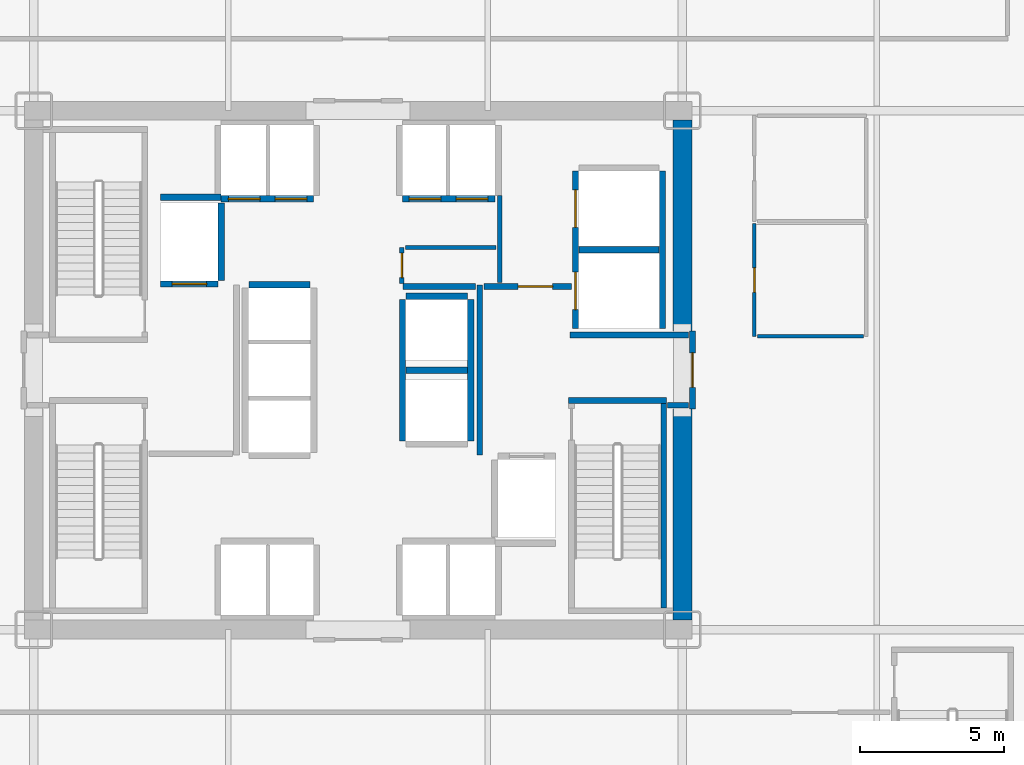
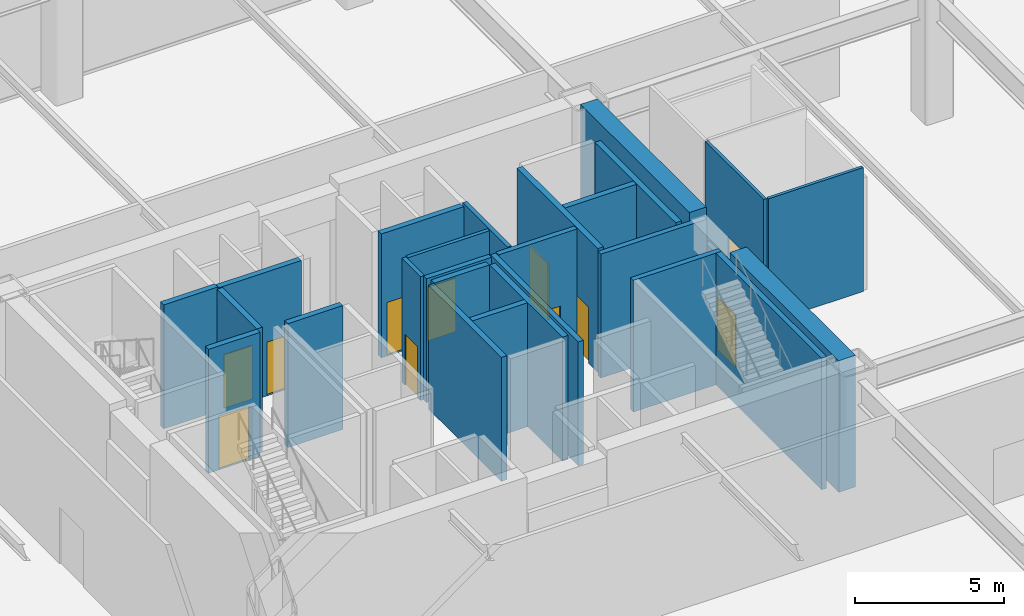
# One storey, part 18 of 24: 28 walls, 11 doors, 11 openings.
"""IFC4 building model written with IfcOpenShell, lengths in metres."""

from ifc_helpers import new_model, si_unit, direction, frame, frame_2d, origin, place, context, subcontext, project, spatial, rectangle, extrude, source, transform, mapped, material, layer, layer_set, type_object, element, fill, save


model = new_model("IFC4")

# Units and contexts
model_context = context("Model", 3, precision=1e-05, world=origin(), true_north=direction((0.0, 1.0)))
body_context = subcontext(model_context, "Body", "Model", "MODEL_VIEW")
ifc_project = project(units=[si_unit("LENGTHUNIT", "METRE"), si_unit("AREAUNIT", "SQUARE_METRE"), si_unit("VOLUMEUNIT", "CUBIC_METRE"), si_unit("PLANEANGLEUNIT", "RADIAN"), si_unit("MASSUNIT", "GRAM", prefix="KILO")], contexts=[model_context])

# Site, building, storey
site_placement = place(None, origin())
site = spatial("IfcSite", under=ifc_project, at=site_placement, CompositionType="ELEMENT")
building_placement = place(site_placement, origin())
building = spatial("IfcBuilding", under=site, at=building_placement, Name="Nefas-Gora Pilgrimage Tower", CompositionType="ELEMENT")
storey_placement = place(building_placement, frame((0.0, 0.0, 11.39990234375)))
storey = spatial("IfcBuildingStorey", under=building, at=storey_placement, Name="L02", CompositionType="ELEMENT", Elevation=11.39990234375)

# Walls
ifc_material_1 = material(Name="Concrete C60/75", Category="concrete")
ifc_layer_1 = layer(ifc_material_1, 0.64990234375)
ifc_layer_set_1 = layer_set([ifc_layer_1], Name="Concrete C60/75")
wall_type_1 = type_object("IfcWallType", Name="SW-CORE-650", PredefinedType="SHEAR", material=ifc_layer_set_1)
shared_shape_1 = source(origin(), body_context, "Body", "SweptSolid", [
    extrude(rectangle(XDim=7.324951171875, YDim=0.64990234375, at=frame_2d((3.66259765625, 0.0))), origin(), (0.0, 0.0, 1.0), 5.400146484375),
])
for number, where, z_axis, x_axis, name in (
    (1, (11.25, -8.675048828125, 0.0), (0.0, 0.0, 1.0), (0.0, 1.0, 0.0), "L02 Core Shear Wall E-South"),
    (2, (11.25, 1.35009765625, 0.0), (0.0, 0.0, 1.0), (0.0, 1.0, 0.0), "L02 Core Shear Wall E-North"),
):
    element("IfcWall", number, at=place(storey_placement, frame(where, z_axis=z_axis, x_axis=x_axis)), inside=storey, type_object=wall_type_1, Name=name, PredefinedType="SHEAR", context=body_context, shape_type="MappedRepresentation", body=[
        mapped(shared_shape_1, transform((0.0, 0.0, 0.0), x_axis=(1.0, 0.0, 0.0), y_axis=(0.0, 1.0, 0.0), z_axis=(0.0, 0.0, 1.0), scale=1.0)),
    ])
ifc_material_2 = material(Name="Concrete C45/55", Category="concrete")
ifc_layer_2 = layer(ifc_material_2, 0.199951171875)
ifc_layer_set_2 = layer_set([ifc_layer_2], Name="Concrete C45/55")
wall_type_2 = type_object("IfcWallType", Name="IW-STAIR-200", PredefinedType="SOLIDWALL", material=ifc_layer_set_2)
shared_shape_2 = source(origin(), body_context, "Body", "SweptSolid", [
    extrude(rectangle(XDim=3.39990234375, YDim=0.199951171875, at=frame_2d((1.699951171875, 0.0))), origin(), (0.0, 0.0, 1.0), 5.400146484375),
])
wall_1_placement = place(storey_placement, frame((7.300048828125, -1.050048828125, 0.0), z_axis=(0.0, 0.0, 1.0), x_axis=(1.0, 0.0, 0.0)))
element("IfcWall", 3, at=wall_1_placement, inside=storey, type_object=wall_type_2, Name="L02 Stairwell Shear Wall ST-02-near", PredefinedType="SOLIDWALL", context=body_context, shape_type="MappedRepresentation", body=[
    mapped(shared_shape_2, transform((0.0, 0.0, 0.0), x_axis=(1.0, 0.0, 0.0), y_axis=(0.0, 1.0, 0.0), z_axis=(0.0, 0.0, 1.0), scale=1.0)),
])
shared_shape_3 = source(origin(), body_context, "Body", "SweptSolid", [
    extrude(rectangle(XDim=7.10009765625, YDim=0.199951171875, at=frame_2d((3.550048828125, 0.0))), origin(), (0.0, 0.0, 1.0), 5.400146484375),
])
wall_2_placement = place(storey_placement, frame((10.60009765625, -1.14990234375, 0.0), z_axis=(0.0, 0.0, 1.0), x_axis=(0.0, -1.0, 0.0)))
element("IfcWall", 4, at=wall_2_placement, inside=storey, type_object=wall_type_2, Name="L02 Stairwell Shear Wall ST-02-right", PredefinedType="SOLIDWALL", context=body_context, shape_type="MappedRepresentation", body=[
    mapped(shared_shape_3, transform((0.0, 0.0, 0.0), x_axis=(1.0, 0.0, 0.0), y_axis=(0.0, 1.0, 0.0), z_axis=(0.0, 0.0, 1.0), scale=1.0)),
])

# Wall, opening, door
ifc_material_3 = material(Name="Concrete C40/50", Category="concrete")
ifc_layer_3 = layer(ifc_material_3, 0.219970703125)
ifc_layer_set_3 = layer_set([ifc_layer_3], Name="Concrete C40/50")
wall_type_3 = type_object("IfcWallType", Name="IW-SHAFT-220", PredefinedType="SOLIDWALL", material=ifc_layer_set_3)
shared_shape_4 = source(origin(), body_context, "Body", "SweptSolid", [
    extrude(rectangle(XDim=2.0, YDim=0.219970703125, at=frame_2d((1.0, 0.0))), origin(), (0.0, 0.0, 1.0), 5.085205078125),
])
wall_3_placement = place(storey_placement, frame((-6.85009765625, 2.989990234375, 0.0), z_axis=(0.0, 0.0, 1.0), x_axis=(1.0, 0.0, 0.0)))
wall_3 = element("IfcWall", 5, at=wall_3_placement, inside=storey, type_object=wall_type_3, Name="L02 Hoistway Wall FFL-01-S", PredefinedType="SOLIDWALL", context=body_context, shape_type="MappedRepresentation", body=[
    mapped(shared_shape_4, transform((0.0, 0.0, 0.0), x_axis=(1.0, 0.0, 0.0), y_axis=(0.0, 1.0, 0.0), z_axis=(0.0, 0.0, 1.0), scale=1.0)),
])
opening_1_placement = place(wall_3_placement, frame((0.39990234375, 0.0, 0.0)))
opening_1 = element("IfcOpeningElement", 6, at=opening_1_placement, cuts=wall_3, Name="Opening LD-FF", PredefinedType="OPENING", context=body_context, shape_type="SweptSolid", body=[
    extrude(rectangle(XDim=1.199951171875, YDim=2.199951171875, at=frame_2d((0.60009765625, 1.10009765625))), frame((0.0, 0.119873046875, 0.0), z_axis=(0.0, -1.0, 0.0), x_axis=(1.0, 0.0, 0.0)), (0.0, 0.0, 1.0), 0.239990234375),
])
ifc_material_4 = material(Name="Fire-service sliding lift landing door")
door_type_1 = type_object("IfcDoorType", Name="DR-LIFT-FSAE-1200", OperationType="SLIDING_TO_LEFT", PredefinedType="DOOR", material=ifc_material_4)
shared_shape_5 = source(origin(), body_context, "Body", "SweptSolid", [
    extrude(rectangle(XDim=1.199951171875, YDim=2.199951171875, at=frame_2d((0.60009765625, 1.10009765625))), frame((0.0, 0.02490234375, 0.0), z_axis=(0.0, -1.0, 0.0), x_axis=(1.0, 0.0, 0.0)), (0.0, 0.0, 1.0), 0.050048828125),
])
door_1_placement = place(opening_1_placement, origin())
door_1 = element("IfcDoor", 7, at=door_1_placement, inside=storey, type_object=door_type_1, Name="L02 Sliding Lift Landing Door FFL-01", OperationType="SLIDING_TO_LEFT", OverallHeight=2.199951171875, OverallWidth=1.199951171875, PredefinedType="DOOR", context=body_context, shape_type="MappedRepresentation", body=[
    mapped(shared_shape_5, transform((0.0, 0.0, 0.0), x_axis=(1.0, 0.0, 0.0), y_axis=(0.0, 1.0, 0.0), z_axis=(0.0, 0.0, 1.0), scale=1.0)),
])
fill(opening_1, door_1)

# Wall
shared_shape_6 = source(origin(), body_context, "Body", "SweptSolid", [
    extrude(rectangle(XDim=2.679931640625, YDim=0.219970703125, at=frame_2d((1.33984375, 0.0))), origin(), (0.0, 0.0, 1.0), 5.085205078125),
])
wall_4_placement = place(storey_placement, frame((-4.739990234375, 3.110107421875, 0.0), z_axis=(0.0, 0.0, 1.0), x_axis=(0.0, 1.0, 0.0)))
element("IfcWall", 8, at=wall_4_placement, inside=storey, type_object=wall_type_3, Name="L02 Hoistway Wall FFL-01-E", PredefinedType="SOLIDWALL", context=body_context, shape_type="MappedRepresentation", body=[
    mapped(shared_shape_6, transform((0.0, 0.0, 0.0), x_axis=(1.0, 0.0, 0.0), y_axis=(0.0, 1.0, 0.0), z_axis=(0.0, 0.0, 1.0), scale=1.0)),
])

# Wall, openings, doors
shared_shape_7 = source(origin(), body_context, "Body", "SweptSolid", [
    extrude(rectangle(XDim=5.449951171875, YDim=0.219970703125, at=frame_2d((2.72509765625, 0.0))), origin(), (0.0, 0.0, 1.0), 5.085205078125),
])
wall_5_placement = place(storey_placement, frame((7.5400390625, 6.89990234375, 0.0), z_axis=(0.0, 0.0, 1.0), x_axis=(0.0, -1.0, 0.0)))
wall_5 = element("IfcWall", 9, at=wall_5_placement, inside=storey, type_object=wall_type_3, Name="L02 Hoistway Wall SL-01-02-W", PredefinedType="SOLIDWALL", context=body_context, shape_type="MappedRepresentation", body=[
    mapped(shared_shape_7, transform((0.0, 0.0, 0.0), x_axis=(1.0, 0.0, 0.0), y_axis=(0.0, 1.0, 0.0), z_axis=(0.0, 0.0, 1.0), scale=1.0)),
])
opening_2_placement = place(wall_5_placement, frame((3.5, 0.0, 0.0)))
opening_2 = element("IfcOpeningElement", 10, at=opening_2_placement, cuts=wall_5, Name="Opening LD-SV", PredefinedType="OPENING", context=body_context, shape_type="SweptSolid", body=[
    extrude(rectangle(XDim=1.300048828125, YDim=2.300048828125, at=frame_2d((0.64990234375, 1.14990234375))), frame((0.0, 0.119873046875, 0.0), z_axis=(0.0, -1.0, 0.0), x_axis=(1.0, 0.0, 0.0)), (0.0, 0.0, 1.0), 0.239990234375),
])
opening_3_placement = place(wall_5_placement, frame((0.64990234375, 0.0, 0.0)))
opening_3 = element("IfcOpeningElement", 11, at=opening_3_placement, cuts=wall_5, Name="Opening LD-SV", PredefinedType="OPENING", context=body_context, shape_type="SweptSolid", body=[
    extrude(rectangle(XDim=1.300048828125, YDim=2.300048828125, at=frame_2d((0.64990234375, 1.14990234375))), frame((0.0, 0.119873046875, 0.0), z_axis=(0.0, -1.0, 0.0), x_axis=(1.0, 0.0, 0.0)), (0.0, 0.0, 1.0), 0.239990234375),
])
ifc_material_5 = material(Name="Heavy goods sliding lift landing door")
door_type_2 = type_object("IfcDoorType", Name="DR-LIFT-SERV-1300", OperationType="SLIDING_TO_RIGHT", PredefinedType="DOOR", material=ifc_material_5)
shared_shape_8 = source(origin(), body_context, "Body", "SweptSolid", [
    extrude(rectangle(XDim=1.300048828125, YDim=2.300048828125, at=frame_2d((0.64990234375, 1.14990234375))), frame((0.0, 0.02490234375, 0.0), z_axis=(0.0, -1.0, 0.0), x_axis=(1.0, 0.0, 0.0)), (0.0, 0.0, 1.0), 0.050048828125),
])
door_2_placement = place(opening_2_placement, origin())
door_2 = element("IfcDoor", 12, at=door_2_placement, inside=storey, type_object=door_type_2, Name="L02 Sliding Lift Landing Door SL-01", OperationType="SLIDING_TO_RIGHT", OverallHeight=2.300048828125, OverallWidth=1.300048828125, PredefinedType="DOOR", context=body_context, shape_type="MappedRepresentation", body=[
    mapped(shared_shape_8, transform((0.0, 0.0, 0.0), x_axis=(1.0, 0.0, 0.0), y_axis=(0.0, 1.0, 0.0), z_axis=(0.0, 0.0, 1.0), scale=1.0)),
])
fill(opening_2, door_2)
door_3_placement = place(opening_3_placement, origin())
door_3 = element("IfcDoor", 13, at=door_3_placement, inside=storey, type_object=door_type_2, Name="L02 Sliding Lift Landing Door SL-02", OperationType="SLIDING_TO_RIGHT", OverallHeight=2.300048828125, OverallWidth=1.300048828125, PredefinedType="DOOR", context=body_context, shape_type="MappedRepresentation", body=[
    mapped(shared_shape_8, transform((0.0, 0.0, 0.0), x_axis=(1.0, 0.0, 0.0), y_axis=(0.0, 1.0, 0.0), z_axis=(0.0, 0.0, 1.0), scale=1.0)),
])
fill(opening_3, door_3)

# Walls
wall_6_placement = place(storey_placement, frame((10.56005859375, 1.449951171875, 0.0), z_axis=(0.0, 0.0, 1.0), x_axis=(0.0, 1.0, 0.0)))
element("IfcWall", 14, at=wall_6_placement, inside=storey, type_object=wall_type_3, Name="L02 Hoistway Wall SL-01-02-E", PredefinedType="SOLIDWALL", context=body_context, shape_type="MappedRepresentation", body=[
    mapped(shared_shape_7, transform((0.0, 0.0, 0.0), x_axis=(1.0, 0.0, 0.0), y_axis=(0.0, 1.0, 0.0), z_axis=(0.0, 0.0, 1.0), scale=1.0)),
])
shared_shape_9 = source(origin(), body_context, "Body", "SweptSolid", [
    extrude(rectangle(XDim=2.780029296875, YDim=0.219970703125, at=frame_2d((1.39013671875, 0.0))), origin(), (0.0, 0.0, 1.0), 5.085205078125),
])
wall_7_placement = place(storey_placement, frame((7.659912109375, 4.175048828125, 0.0), z_axis=(0.0, 0.0, 1.0), x_axis=(1.0, 0.0, 0.0)))
element("IfcWall", 15, at=wall_7_placement, inside=storey, type_object=wall_type_3, Name="L02 Hoistway Wall SL-01-02-DIV", PredefinedType="SOLIDWALL", context=body_context, shape_type="MappedRepresentation", body=[
    mapped(shared_shape_9, transform((0.0, 0.0, 0.0), x_axis=(1.0, 0.0, 0.0), y_axis=(0.0, 1.0, 0.0), z_axis=(0.0, 0.0, 1.0), scale=1.0)),
])

# Wall, openings, doors
shared_shape_10 = source(origin(), body_context, "Body", "SweptSolid", [
    extrude(rectangle(XDim=3.199951171875, YDim=0.219970703125, at=frame_2d((1.60009765625, 0.0))), origin(), (0.0, 0.0, 1.0), 5.085205078125),
])
wall_8_placement = place(storey_placement, frame((-4.75, 5.93994140625, 0.0), z_axis=(0.0, 0.0, 1.0), x_axis=(1.0, 0.0, 0.0)))
wall_8 = element("IfcWall", 16, at=wall_8_placement, inside=storey, type_object=wall_type_3, Name="L02 Hoistway Wall PL1-W-S", PredefinedType="SOLIDWALL", context=body_context, shape_type="MappedRepresentation", body=[
    mapped(shared_shape_10, transform((0.0, 0.0, 0.0), x_axis=(1.0, 0.0, 0.0), y_axis=(0.0, 1.0, 0.0), z_axis=(0.0, 0.0, 1.0), scale=1.0)),
])
opening_4_placement = place(wall_8_placement, frame((0.25, 0.0, 0.0)))
opening_4 = element("IfcOpeningElement", 17, at=opening_4_placement, cuts=wall_8, Name="Opening LD-01", PredefinedType="OPENING", context=body_context, shape_type="SweptSolid", body=[
    extrude(rectangle(XDim=1.10009765625, YDim=2.199951171875, at=frame_2d((0.550048828125, 1.10009765625))), frame((0.0, 0.119873046875, 0.0), z_axis=(0.0, -1.0, 0.0), x_axis=(1.0, 0.0, 0.0)), (0.0, 0.0, 1.0), 0.239990234375),
])
opening_5_placement = place(wall_8_placement, frame((1.875, 0.0, 0.0)))
opening_5 = element("IfcOpeningElement", 18, at=opening_5_placement, cuts=wall_8, Name="Opening LD-01", PredefinedType="OPENING", context=body_context, shape_type="SweptSolid", body=[
    extrude(rectangle(XDim=1.10009765625, YDim=2.199951171875, at=frame_2d((0.550048828125, 1.10009765625))), frame((0.0, 0.119873046875, 0.0), z_axis=(0.0, -1.0, 0.0), x_axis=(1.0, 0.0, 0.0)), (0.0, 0.0, 1.0), 0.239990234375),
])
ifc_material_6 = material(Name="Brushed stainless sliding lift landing door")
door_type_3 = type_object("IfcDoorType", Name="DR-LIFT-PASS-1100", OperationType="DOUBLE_DOOR_SLIDING", PredefinedType="DOOR", material=ifc_material_6)
shared_shape_11 = source(origin(), body_context, "Body", "SweptSolid", [
    extrude(rectangle(XDim=1.10009765625, YDim=2.199951171875, at=frame_2d((0.550048828125, 1.10009765625))), frame((0.0, 0.02490234375, 0.0), z_axis=(0.0, -1.0, 0.0), x_axis=(1.0, 0.0, 0.0)), (0.0, 0.0, 1.0), 0.050048828125),
])
door_4_placement = place(opening_4_placement, origin())
door_4 = element("IfcDoor", 19, at=door_4_placement, inside=storey, type_object=door_type_3, Name="L02 Sliding Lift Landing Door PL1-01", OperationType="DOUBLE_DOOR_SLIDING", OverallHeight=2.199951171875, OverallWidth=1.10009765625, PredefinedType="DOOR", context=body_context, shape_type="MappedRepresentation", body=[
    mapped(shared_shape_11, transform((0.0, 0.0, 0.0), x_axis=(1.0, 0.0, 0.0), y_axis=(0.0, 1.0, 0.0), z_axis=(0.0, 0.0, 1.0), scale=1.0)),
])
fill(opening_4, door_4)
door_5_placement = place(opening_5_placement, origin())
door_5 = element("IfcDoor", 20, at=door_5_placement, inside=storey, type_object=door_type_3, Name="L02 Sliding Lift Landing Door PL1-02", OperationType="DOUBLE_DOOR_SLIDING", OverallHeight=2.199951171875, OverallWidth=1.10009765625, PredefinedType="DOOR", context=body_context, shape_type="MappedRepresentation", body=[
    mapped(shared_shape_11, transform((0.0, 0.0, 0.0), x_axis=(1.0, 0.0, 0.0), y_axis=(0.0, 1.0, 0.0), z_axis=(0.0, 0.0, 1.0), scale=1.0)),
])
fill(opening_5, door_5)

wall_9_placement = place(storey_placement, frame((1.550048828125, 5.93994140625, 0.0), z_axis=(0.0, 0.0, 1.0), x_axis=(1.0, 0.0, 0.0)))
wall_9 = element("IfcWall", 21, at=wall_9_placement, inside=storey, type_object=wall_type_3, Name="L02 Hoistway Wall PL1-E-S", PredefinedType="SOLIDWALL", context=body_context, shape_type="MappedRepresentation", body=[
    mapped(shared_shape_10, transform((0.0, 0.0, 0.0), x_axis=(1.0, 0.0, 0.0), y_axis=(0.0, 1.0, 0.0), z_axis=(0.0, 0.0, 1.0), scale=1.0)),
])
opening_6_placement = place(wall_9_placement, frame((0.22509765625, 0.0, 0.0)))
opening_6 = element("IfcOpeningElement", 22, at=opening_6_placement, cuts=wall_9, Name="Opening LD-01", PredefinedType="OPENING", context=body_context, shape_type="SweptSolid", body=[
    extrude(rectangle(XDim=1.10009765625, YDim=2.199951171875, at=frame_2d((0.550048828125, 1.10009765625))), frame((0.0, 0.119873046875, 0.0), z_axis=(0.0, -1.0, 0.0), x_axis=(1.0, 0.0, 0.0)), (0.0, 0.0, 1.0), 0.239990234375),
])
opening_7_placement = place(wall_9_placement, frame((1.85009765625, 0.0, 0.0)))
opening_7 = element("IfcOpeningElement", 23, at=opening_7_placement, cuts=wall_9, Name="Opening LD-01", PredefinedType="OPENING", context=body_context, shape_type="SweptSolid", body=[
    extrude(rectangle(XDim=1.10009765625, YDim=2.199951171875, at=frame_2d((0.550048828125, 1.10009765625))), frame((0.0, 0.119873046875, 0.0), z_axis=(0.0, -1.0, 0.0), x_axis=(1.0, 0.0, 0.0)), (0.0, 0.0, 1.0), 0.239990234375),
])
door_6_placement = place(opening_6_placement, origin())
door_6 = element("IfcDoor", 24, at=door_6_placement, inside=storey, type_object=door_type_3, Name="L02 Sliding Lift Landing Door PL1-03", OperationType="DOUBLE_DOOR_SLIDING", OverallHeight=2.199951171875, OverallWidth=1.10009765625, PredefinedType="DOOR", context=body_context, shape_type="MappedRepresentation", body=[
    mapped(shared_shape_11, transform((0.0, 0.0, 0.0), x_axis=(1.0, 0.0, 0.0), y_axis=(0.0, 1.0, 0.0), z_axis=(0.0, 0.0, 1.0), scale=1.0)),
])
fill(opening_6, door_6)
door_7_placement = place(opening_7_placement, origin())
door_7 = element("IfcDoor", 25, at=door_7_placement, inside=storey, type_object=door_type_3, Name="L02 Sliding Lift Landing Door PL1-04", OperationType="DOUBLE_DOOR_SLIDING", OverallHeight=2.199951171875, OverallWidth=1.10009765625, PredefinedType="DOOR", context=body_context, shape_type="MappedRepresentation", body=[
    mapped(shared_shape_11, transform((0.0, 0.0, 0.0), x_axis=(1.0, 0.0, 0.0), y_axis=(0.0, 1.0, 0.0), z_axis=(0.0, 0.0, 1.0), scale=1.0)),
])
fill(opening_7, door_7)

# Walls
shared_shape_12 = source(origin(), body_context, "Body", "SweptSolid", [
    extrude(rectangle(XDim=2.130126953125, YDim=0.219970703125, at=frame_2d((1.06494140625, 0.0))), origin(), (0.0, 0.0, 1.0), 5.085205078125),
])
for number, where, z_axis, x_axis, name in (
    (26, (-1.659912109375, 2.9599609375, 0.0), (0.0, 0.0, 1.0), (-1.0, 0.0, 0.0), "L02 Hoistway Wall PL3-03-N"),
    (27, (1.659912109375, 0.0, 0.0), (0.0, 0.0, 1.0), (1.0, 0.0, 0.0), "L02 Hoistway Wall OBS-01-02-DIV"),
    (28, (3.7900390625, 2.56005859375, 0.0), (0.0, 0.0, 1.0), (-1.0, 0.0, 0.0), "L02 Hoistway Wall OBS-02-N"),
):
    element("IfcWall", number, at=place(storey_placement, frame(where, z_axis=z_axis, x_axis=x_axis)), inside=storey, type_object=wall_type_3, Name=name, PredefinedType="SOLIDWALL", context=body_context, shape_type="MappedRepresentation", body=[
        mapped(shared_shape_12, transform((0.0, 0.0, 0.0), x_axis=(1.0, 0.0, 0.0), y_axis=(0.0, 1.0, 0.0), z_axis=(0.0, 0.0, 1.0), scale=1.0)),
    ])
shared_shape_13 = source(origin(), body_context, "Body", "SweptSolid", [
    extrude(rectangle(XDim=4.89990234375, YDim=0.219970703125, at=frame_2d((2.449951171875, 0.0))), origin(), (0.0, 0.0, 1.0), 5.085205078125),
])
for number, where, z_axis, x_axis, name in (
    (29, (1.5400390625, 2.449951171875, 0.0), (0.0, 0.0, 1.0), (0.0, -1.0, 0.0), "L02 Hoistway Wall OBS-01-02-W"),
    (30, (3.909912109375, -2.449951171875, 0.0), (0.0, 0.0, 1.0), (0.0, 1.0, 0.0), "L02 Hoistway Wall OBS-01-02-E"),
):
    element("IfcWall", number, at=place(storey_placement, frame(where, z_axis=z_axis, x_axis=x_axis)), inside=storey, type_object=wall_type_3, Name=name, PredefinedType="SOLIDWALL", context=body_context, shape_type="MappedRepresentation", body=[
        mapped(shared_shape_13, transform((0.0, 0.0, 0.0), x_axis=(1.0, 0.0, 0.0), y_axis=(0.0, 1.0, 0.0), z_axis=(0.0, 0.0, 1.0), scale=1.0)),
    ])

# Wall, opening, door
ifc_material_7 = material(Name="Gypsum fire-rated shaftwall")
ifc_layer_4 = layer(ifc_material_7, 0.199951171875)
ifc_layer_set_4 = layer_set([ifc_layer_4], Name="Gypsum fire-rated shaftwall")
wall_type_4 = type_object("IfcWallType", Name="IW-FFLOB-200", PredefinedType="PARTITIONING", material=ifc_layer_set_4)
shared_shape_14 = source(origin(), body_context, "Body", "SweptSolid", [
    extrude(rectangle(XDim=2.7001953125, YDim=0.199951171875, at=frame_2d((1.35009765625, 0.0))), origin(), (0.0, 0.0, 1.0), 3.97509765625),
])
wall_10_placement = place(storey_placement, frame((11.60009765625, -1.35009765625, 0.0), z_axis=(0.0, 0.0, 1.0), x_axis=(0.0, 1.0, 0.0)))
wall_10 = element("IfcWall", 31, at=wall_10_placement, inside=storey, type_object=wall_type_4, Name="L02 FF Lobby East Portal Wall 8", PredefinedType="PARTITIONING", context=body_context, shape_type="MappedRepresentation", body=[
    mapped(shared_shape_14, transform((0.0, 0.0, 0.0), x_axis=(1.0, 0.0, 0.0), y_axis=(0.0, 1.0, 0.0), z_axis=(0.0, 0.0, 1.0), scale=1.0)),
])
opening_8_placement = place(wall_10_placement, frame((0.75, 0.0, 0.0)))
opening_8 = element("IfcOpeningElement", 32, at=opening_8_placement, cuts=wall_10, Name="Opening ID-FF1", PredefinedType="OPENING", context=body_context, shape_type="SweptSolid", body=[
    extrude(rectangle(XDim=1.199951171875, YDim=2.14990234375, at=frame_2d((0.60009765625, 1.074951171875))), frame((0.0, 0.10986328125, 0.0), z_axis=(0.0, -1.0, 0.0), x_axis=(1.0, 0.0, 0.0)), (0.0, 0.0, 1.0), 0.219970703125),
])
ifc_material_8 = material(Name="Smoke-sealed steel firefighting lobby door", Category="steel")
door_type_4 = type_object("IfcDoorType", Name="DR-INT-FFLOB-1200", OperationType="NOTDEFINED", PredefinedType="DOOR", material=ifc_material_8)
shared_shape_15 = source(origin(), body_context, "Body", "SweptSolid", [
    extrude(rectangle(XDim=1.199951171875, YDim=2.14990234375, at=frame_2d((0.60009765625, 1.074951171875))), frame((0.0, 0.02490234375, 0.0), z_axis=(0.0, -1.0, 0.0), x_axis=(1.0, 0.0, 0.0)), (0.0, 0.0, 1.0), 0.050048828125),
])
door_8_placement = place(opening_8_placement, origin())
door_8 = element("IfcDoor", 33, at=door_8_placement, inside=storey, type_object=door_type_4, Name="L02 FF Lobby East Portal Door 2", OperationType="SINGLE_SWING_RIGHT", OverallHeight=2.14990234375, OverallWidth=1.199951171875, PredefinedType="DOOR", context=body_context, shape_type="MappedRepresentation", body=[
    mapped(shared_shape_15, transform((0.0, 0.0, 0.0), x_axis=(1.0, 0.0, 0.0), y_axis=(0.0, 1.0, 0.0), z_axis=(0.0, 0.0, 1.0), scale=1.0)),
])
fill(opening_8, door_8)

# Walls
shared_shape_16 = source(origin(), body_context, "Body", "SweptSolid", [
    extrude(rectangle(XDim=2.09521484375, YDim=0.219970703125, at=frame_2d((1.047607421875, 0.0))), origin(), (0.0, 0.0, 1.0), 5.085205078125),
])
wall_11_placement = place(storey_placement, frame((-6.85009765625, 6.0, 0.0), z_axis=(0.0, 0.0, 1.0), x_axis=(1.0, 0.0, 0.0)))
element("IfcWall", 34, at=wall_11_placement, inside=storey, type_object=wall_type_3, Name="L02 Riser Shaft Wall 1", PredefinedType="SOLIDWALL", context=body_context, shape_type="MappedRepresentation", body=[
    mapped(shared_shape_16, transform((0.0, 0.0, 0.0), x_axis=(1.0, 0.0, 0.0), y_axis=(0.0, 1.0, 0.0), z_axis=(0.0, 0.0, 1.0), scale=1.0)),
])
shared_shape_17 = source(origin(), body_context, "Body", "SweptSolid", [
    extrude(rectangle(XDim=5.89990234375, YDim=0.199951171875, at=frame_2d((2.949951171875, 0.0))), origin(), (0.0, 0.0, 1.0), 5.085205078125),
])
wall_12_placement = place(storey_placement, frame((4.219970703125, -2.949951171875, 0.0), z_axis=(0.0, 0.0, 1.0), x_axis=(0.0, 1.0, 0.0)))
element("IfcWall", 35, at=wall_12_placement, inside=storey, type_object=wall_type_4, Name="L02 FF Lobby East Inner Wall Wall 9", PredefinedType="PARTITIONING", context=body_context, shape_type="MappedRepresentation", body=[
    mapped(shared_shape_17, transform((0.0, 0.0, 0.0), x_axis=(1.0, 0.0, 0.0), y_axis=(0.0, 1.0, 0.0), z_axis=(0.0, 0.0, 1.0), scale=1.0)),
])
shared_shape_18 = source(origin(), body_context, "Body", "SweptSolid", [
    extrude(rectangle(XDim=0.719970703125, YDim=0.199951171875, at=frame_2d((0.35986328125, 0.0))), origin(), (0.0, 0.0, 1.0), 5.085205078125),
])
wall_13_placement = place(storey_placement, frame((10.739990234375, -1.219970703125, 0.0), z_axis=(0.0, 0.0, 1.0), x_axis=(1.0, 0.0, 0.0)))
element("IfcWall", 36, at=wall_13_placement, inside=storey, type_object=wall_type_4, Name="L02 FF Lobby East Throat S Wall 13", PredefinedType="PARTITIONING", context=body_context, shape_type="MappedRepresentation", body=[
    mapped(shared_shape_18, transform((0.0, 0.0, 0.0), x_axis=(1.0, 0.0, 0.0), y_axis=(0.0, 1.0, 0.0), z_axis=(0.0, 0.0, 1.0), scale=1.0)),
])
shared_shape_19 = source(origin(), body_context, "Body", "SweptSolid", [
    extrude(rectangle(XDim=2.52001953125, YDim=0.199951171875, at=frame_2d((1.260009765625, 0.0))), origin(), (0.0, 0.0, 1.0), 5.085205078125),
])
wall_14_placement = place(storey_placement, frame((1.56005859375, 2.89990234375, 0.0), z_axis=(0.0, 0.0, 1.0), x_axis=(1.0, 0.0, 0.0)))
element("IfcWall", 37, at=wall_14_placement, inside=storey, type_object=wall_type_4, Name="L02 FF Lobby East North Wall Wall 10", PredefinedType="PARTITIONING", context=body_context, shape_type="MappedRepresentation", body=[
    mapped(shared_shape_19, transform((0.0, 0.0, 0.0), x_axis=(1.0, 0.0, 0.0), y_axis=(0.0, 1.0, 0.0), z_axis=(0.0, 0.0, 1.0), scale=1.0)),
])

# Wall, opening, door
shared_shape_20 = source(origin(), body_context, "Body", "SweptSolid", [
    extrude(rectangle(XDim=3.039794921875, YDim=0.199951171875, at=frame_2d((1.52001953125, 0.0))), origin(), (0.0, 0.0, 1.0), 5.085205078125),
])
wall_15_placement = place(storey_placement, frame((4.360107421875, 2.89990234375, 0.0), z_axis=(0.0, 0.0, 1.0), x_axis=(1.0, 0.0, 0.0)))
wall_15 = element("IfcWall", 38, at=wall_15_placement, inside=storey, type_object=wall_type_4, Name="L02 FF Lobby East North Wall Wall 11", PredefinedType="PARTITIONING", context=body_context, shape_type="MappedRepresentation", body=[
    mapped(shared_shape_20, transform((0.0, 0.0, 0.0), x_axis=(1.0, 0.0, 0.0), y_axis=(0.0, 1.0, 0.0), z_axis=(0.0, 0.0, 1.0), scale=1.0)),
])
opening_9_placement = place(wall_15_placement, frame((1.18994140625, 0.0, 0.0)))
opening_9 = element("IfcOpeningElement", 39, at=opening_9_placement, cuts=wall_15, Name="Opening ID-PL1", PredefinedType="OPENING", context=body_context, shape_type="SweptSolid", body=[
    extrude(rectangle(XDim=1.199951171875, YDim=2.14990234375, at=frame_2d((0.60009765625, 1.074951171875))), frame((0.0, 0.10986328125, 0.0), z_axis=(0.0, -1.0, 0.0), x_axis=(1.0, 0.0, 0.0)), (0.0, 0.0, 1.0), 0.219970703125),
])
ifc_material_9 = material(Name="Heavy-duty steel plant room fire door", Category="steel")
door_type_5 = type_object("IfcDoorType", Name="DR-INT-PLANT-1200", OperationType="NOTDEFINED", PredefinedType="DOOR", material=ifc_material_9)
door_9_placement = place(opening_9_placement, origin())
door_9 = element("IfcDoor", 40, at=door_9_placement, inside=storey, type_object=door_type_5, Name="L02 Service Lift Lobby Door Door 3", OperationType="SINGLE_SWING_LEFT", OverallHeight=2.14990234375, OverallWidth=1.199951171875, PredefinedType="DOOR", context=body_context, shape_type="MappedRepresentation", body=[
    mapped(shared_shape_15, transform((0.0, 0.0, 0.0), x_axis=(1.0, 0.0, 0.0), y_axis=(0.0, 1.0, 0.0), z_axis=(0.0, 0.0, 1.0), scale=1.0)),
])
fill(opening_9, door_9)

# Walls
shared_shape_21 = source(origin(), body_context, "Body", "SweptSolid", [
    extrude(rectangle(XDim=4.10986328125, YDim=0.199951171875, at=frame_2d((2.054931640625, 0.0))), origin(), (0.0, 0.0, 1.0), 5.085205078125),
])
wall_16_placement = place(storey_placement, frame((7.35009765625, 1.219970703125, 0.0), z_axis=(0.0, 0.0, 1.0), x_axis=(1.0, 0.0, 0.0)))
element("IfcWall", 41, at=wall_16_placement, inside=storey, type_object=wall_type_4, Name="L02 FF Lobby East Throat N Wall 12", PredefinedType="PARTITIONING", context=body_context, shape_type="MappedRepresentation", body=[
    mapped(shared_shape_21, transform((0.0, 0.0, 0.0), x_axis=(1.0, 0.0, 0.0), y_axis=(0.0, 1.0, 0.0), z_axis=(0.0, 0.0, 1.0), scale=1.0)),
])
ifc_material_10 = material(Name="Gypsum acoustic stud partition")
ifc_layer_5 = layer(ifc_material_10, 0.159912109375)
ifc_layer_set_5 = layer_set([ifc_layer_5], Name="Gypsum acoustic stud partition")
wall_type_5 = type_object("IfcWallType", Name="IW-CORR-160", PredefinedType="PARTITIONING", material=ifc_layer_set_5)
shared_shape_22 = source(origin(), body_context, "Body", "SweptSolid", [
    extrude(rectangle(XDim=3.014892578125, YDim=0.159912109375, at=frame_2d((1.50732421875, 0.0))), origin(), (0.0, 0.0, 1.0), 5.085205078125),
])
wall_17_placement = place(storey_placement, frame((4.919921875, 3.0400390625, 0.0), z_axis=(0.0, 0.0, 1.0), x_axis=(0.0, 1.0, 0.0)))
element("IfcWall", 42, at=wall_17_placement, inside=storey, type_object=wall_type_5, Name="L02 Service Lift Lobby West Wall Wall 16", PredefinedType="PARTITIONING", context=body_context, shape_type="MappedRepresentation", body=[
    mapped(shared_shape_22, transform((0.0, 0.0, 0.0), x_axis=(1.0, 0.0, 0.0), y_axis=(0.0, 1.0, 0.0), z_axis=(0.0, 0.0, 1.0), scale=1.0)),
])

# Wall, opening, door
shared_shape_23 = source(origin(), body_context, "Body", "SweptSolid", [
    extrude(rectangle(XDim=1.25, YDim=0.159912109375, at=frame_2d((0.625, 0.0))), origin(), (0.0, 0.0, 1.0), 5.085205078125),
])
wall_18_placement = place(storey_placement, frame((1.52001953125, 3.010009765625, 0.0), z_axis=(0.0, 0.0, 1.0), x_axis=(0.0, 1.0, 0.0)))
wall_18 = element("IfcWall", 43, at=wall_18_placement, inside=storey, type_object=wall_type_5, Name="L02 Core Communications Room Wall 17", PredefinedType="PARTITIONING", context=body_context, shape_type="MappedRepresentation", body=[
    mapped(shared_shape_23, transform((0.0, 0.0, 0.0), x_axis=(1.0, 0.0, 0.0), y_axis=(0.0, 1.0, 0.0), z_axis=(0.0, 0.0, 1.0), scale=1.0)),
])
opening_10_placement = place(wall_18_placement, frame((0.199951171875, 0.0, 0.0)))
opening_10 = element("IfcOpeningElement", 44, at=opening_10_placement, cuts=wall_18, Name="Opening ID-BT1", PredefinedType="OPENING", context=body_context, shape_type="SweptSolid", body=[
    extrude(rectangle(XDim=0.85009765625, YDim=2.10009765625, at=frame_2d((0.425048828125, 1.050048828125))), frame((0.0, 0.08984375, 0.0), z_axis=(0.0, -1.0, 0.0), x_axis=(1.0, 0.0, 0.0)), (0.0, 0.0, 1.0), 0.179931640625),
])
ifc_material_11 = material(Name="Moisture-resistant fire-rated timber door", Category="wood")
door_type_6 = type_object("IfcDoorType", Name="DR-INT-BATH-850", OperationType="NOTDEFINED", PredefinedType="DOOR", material=ifc_material_11)
shared_shape_24 = source(origin(), body_context, "Body", "SweptSolid", [
    extrude(rectangle(XDim=0.85009765625, YDim=2.10009765625, at=frame_2d((0.425048828125, 1.050048828125))), frame((0.0, 0.02490234375, 0.0), z_axis=(0.0, -1.0, 0.0), x_axis=(1.0, 0.0, 0.0)), (0.0, 0.0, 1.0), 0.050048828125),
])
door_10_placement = place(opening_10_placement, origin())
door_10 = element("IfcDoor", 45, at=door_10_placement, inside=storey, type_object=door_type_6, Name="L02 Core Communications Room Door 6", OperationType="SINGLE_SWING_RIGHT", OverallHeight=2.10009765625, OverallWidth=0.85009765625, PredefinedType="DOOR", context=body_context, shape_type="MappedRepresentation", body=[
    mapped(shared_shape_24, transform((0.0, 0.0, 0.0), x_axis=(1.0, 0.0, 0.0), y_axis=(0.0, 1.0, 0.0), z_axis=(0.0, 0.0, 1.0), scale=1.0)),
])
fill(opening_10, door_10)

# Wall
ifc_material_12 = material(Name="Gypsum twin-stud partition")
ifc_layer_6 = layer(ifc_material_12, 0.139892578125)
ifc_layer_set_6 = layer_set([ifc_layer_6], Name="Gypsum twin-stud partition")
wall_type_6 = type_object("IfcWallType", Name="IW-UNIT-140", PredefinedType="PARTITIONING", material=ifc_layer_set_6)
shared_shape_25 = source(origin(), body_context, "Body", "SweptSolid", [
    extrude(rectangle(XDim=3.150146484375, YDim=0.139892578125, at=frame_2d((1.5751953125, 0.0))), origin(), (0.0, 0.0, 1.0), 5.085205078125),
])
wall_19_placement = place(storey_placement, frame((1.639892578125, 4.25, 0.0), z_axis=(0.0, 0.0, 1.0), x_axis=(1.0, 0.0, 0.0)))
element("IfcWall", 46, at=wall_19_placement, inside=storey, type_object=wall_type_6, Name="L02 Core Communications Room Partition Wall 18", PredefinedType="PARTITIONING", context=body_context, shape_type="MappedRepresentation", body=[
    mapped(shared_shape_25, transform((0.0, 0.0, 0.0), x_axis=(1.0, 0.0, 0.0), y_axis=(0.0, 1.0, 0.0), z_axis=(0.0, 0.0, 1.0), scale=1.0)),
])

# Wall, opening, door
ifc_material_13 = material(Name="Moisture-resistant fire-rated gypsum partition")
ifc_layer_7 = layer(ifc_material_13, 0.1201171875)
ifc_layer_set_7 = layer_set([ifc_layer_7], Name="Moisture-resistant fire-rated gypsum partition")
wall_type_7 = type_object("IfcWallType", Name="IW-WET-120", PredefinedType="PLUMBINGWALL", material=ifc_layer_set_7)
shared_shape_26 = source(origin(), body_context, "Body", "SweptSolid", [
    extrude(rectangle(XDim=3.93017578125, YDim=0.1201171875, at=frame_2d((1.965087890625, 0.0))), origin(), (0.0, 0.0, 1.0), 5.085205078125),
])
wall_20_placement = place(storey_placement, frame((13.75, 1.159912109375, 0.0), z_axis=(0.0, 0.0, 1.0), x_axis=(0.0, 1.0, 0.0)))
wall_20 = element("IfcWall", 47, at=wall_20_placement, inside=storey, type_object=wall_type_7, Name="L02 L02 Podium Public Washroom WC Partition Wall 23", PredefinedType="PLUMBINGWALL", context=body_context, shape_type="MappedRepresentation", body=[
    mapped(shared_shape_26, transform((0.0, 0.0, 0.0), x_axis=(1.0, 0.0, 0.0), y_axis=(0.0, 1.0, 0.0), z_axis=(0.0, 0.0, 1.0), scale=1.0)),
])
opening_11_placement = place(wall_20_placement, frame((1.5400390625, 0.0, 0.0)))
opening_11 = element("IfcOpeningElement", 48, at=opening_11_placement, cuts=wall_20, Name="Opening ID-BT1", PredefinedType="OPENING", context=body_context, shape_type="SweptSolid", body=[
    extrude(rectangle(XDim=0.85009765625, YDim=2.10009765625, at=frame_2d((0.425048828125, 1.050048828125))), frame((0.0, 0.070068359375, 0.0), z_axis=(0.0, -1.0, 0.0), x_axis=(1.0, 0.0, 0.0)), (0.0, 0.0, 1.0), 0.14013671875),
])
door_11_placement = place(opening_11_placement, origin())
door_11 = element("IfcDoor", 49, at=door_11_placement, inside=storey, type_object=door_type_6, Name="L02 L02 Podium Public Washroom WC Door 8", OperationType="SINGLE_SWING_RIGHT", OverallHeight=2.10009765625, OverallWidth=0.85009765625, PredefinedType="DOOR", context=body_context, shape_type="MappedRepresentation", body=[
    mapped(shared_shape_24, transform((0.0, 0.0, 0.0), x_axis=(1.0, 0.0, 0.0), y_axis=(0.0, 1.0, 0.0), z_axis=(0.0, 0.0, 1.0), scale=1.0)),
])
fill(opening_11, door_11)

# Wall
shared_shape_27 = source(origin(), body_context, "Body", "SweptSolid", [
    extrude(rectangle(XDim=3.679931640625, YDim=0.1201171875, at=frame_2d((1.83984375, 0.0))), origin(), (0.0, 0.0, 1.0), 5.085205078125),
])
wall_21_placement = place(storey_placement, frame((13.85009765625, 1.169921875, 0.0), z_axis=(0.0, 0.0, 1.0), x_axis=(1.0, 0.0, 0.0)))
element("IfcWall", 50, at=wall_21_placement, inside=storey, type_object=wall_type_7, Name="L02 L02 Podium Public Washroom WC Partition Wall 25", PredefinedType="PLUMBINGWALL", context=body_context, shape_type="MappedRepresentation", body=[
    mapped(shared_shape_27, transform((0.0, 0.0, 0.0), x_axis=(1.0, 0.0, 0.0), y_axis=(0.0, 1.0, 0.0), z_axis=(0.0, 0.0, 1.0), scale=1.0)),
])

save(model, "model.ifc")
